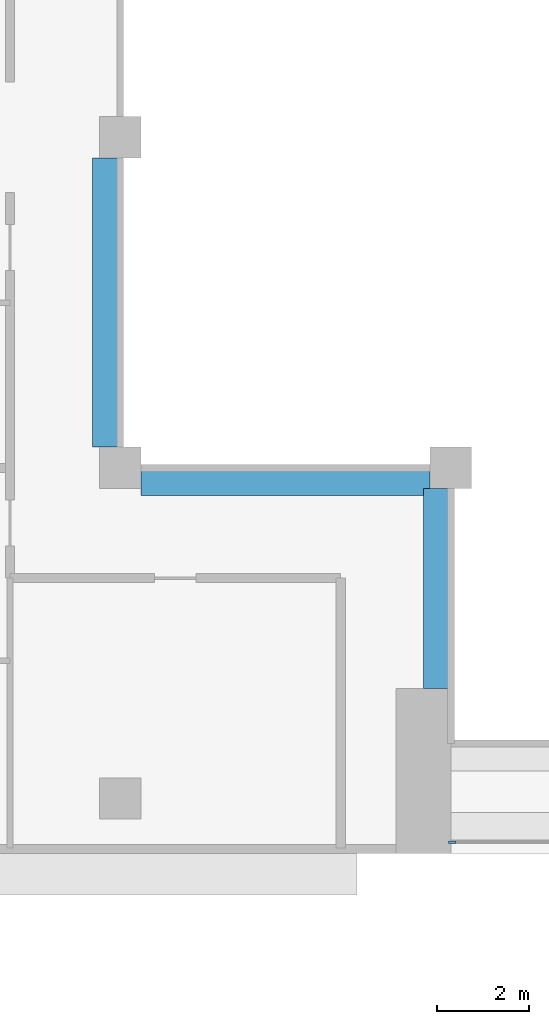
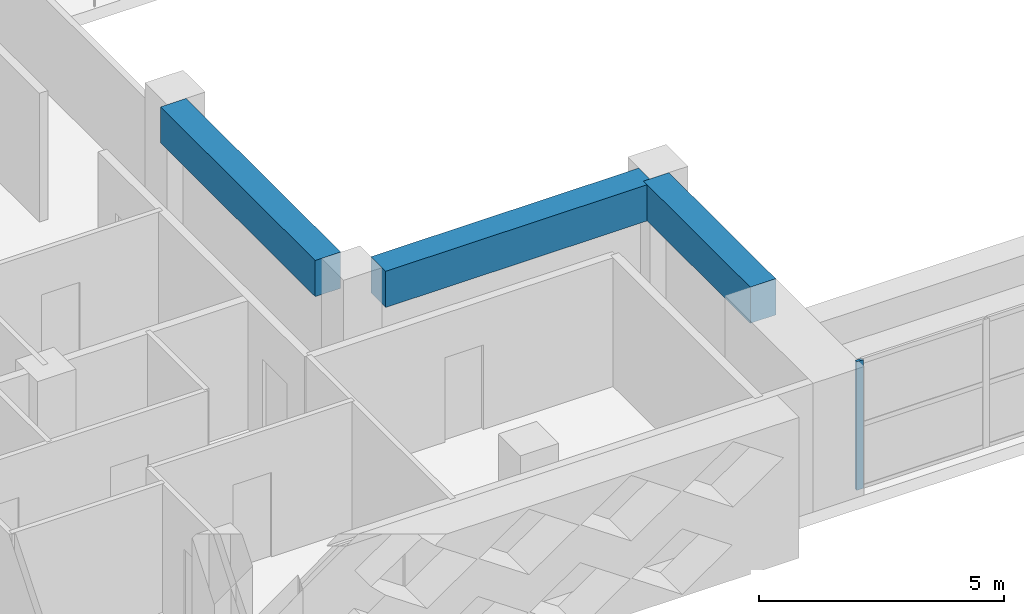
# One storey, part 2 of 20: 3 beams, 1 member, 1 element without a shape of its own.
"""IFC4 building model written with IfcOpenShell, lengths in metres."""

from ifc_helpers import new_model, si_unit, direction, frame, origin, origin_2d, place, context, subcontext, project, spatial, rectangle, extrude, source, transform, mapped, material, layer, layer_set, material_profile, profile_set, type_object, element, aggregate, save


model = new_model("IFC4")

# Units and contexts
model_context = context("Model", 3, precision=1e-05, world=origin(), true_north=direction((0.0, 1.0)))
body_context = subcontext(model_context, "Body", "Model", "MODEL_VIEW")
ifc_project = project(units=[si_unit("LENGTHUNIT", "METRE"), si_unit("AREAUNIT", "SQUARE_METRE"), si_unit("VOLUMEUNIT", "CUBIC_METRE"), si_unit("PLANEANGLEUNIT", "RADIAN"), si_unit("MASSUNIT", "GRAM", prefix="KILO")], contexts=[model_context])

# Site, building, storey
site_placement = place(None, origin())
site = spatial("IfcSite", under=ifc_project, at=site_placement, CompositionType="ELEMENT")
building_placement = place(site_placement, origin())
building = spatial("IfcBuilding", under=site, at=building_placement, Name="Saffron Iwan Residences", CompositionType="ELEMENT")
storey_placement = place(building_placement, frame((0.0, 0.0, 188.5)))
storey = spatial("IfcBuildingStorey", under=building, at=storey_placement, Name="L50", CompositionType="ELEMENT", Elevation=188.5)

# Beams
ifc_material_1 = material(Name="Concrete C50/60", Category="concrete")
ifc_material_profile_1 = material_profile(ifc_material_1, rectangle(XDim=0.60009765625, YDim=0.89990234375, at=origin_2d()), Name="RC 600x900")
ifc_profile_set_1 = profile_set([ifc_material_profile_1], Name="Concrete C50/60")
beam_type = type_object("IfcBeamType", Name="BEAM RC 600x900 C50/60 TOP 3200", PredefinedType="BEAM", material=ifc_profile_set_1)
shared_shape_1 = source(origin(), body_context, "Body", "SweptSolid", [
    extrude(rectangle(XDim=0.60009765625, YDim=0.89990234375, at=origin_2d()), origin(), (0.0, 0.0, 1.0), 4.35009765625),
])
beam_placement = place(storey_placement, frame((42.89990234375, 43.199951171875, 2.75), z_axis=(0.0, 1.0, 0.0), x_axis=(-1.0, 0.0, 0.0)))
element("IfcBeam", 1, at=beam_placement, inside=storey, type_object=beam_type, Name="Atrium edge beam", PredefinedType="BEAM", context=body_context, shape_type="MappedRepresentation", body=[
    mapped(shared_shape_1, transform((0.0, 0.0, 0.0))),
])
shared_shape_2 = source(origin(), body_context, "Body", "SweptSolid", [
    extrude(rectangle(XDim=0.60009765625, YDim=0.89990234375, at=origin_2d()), origin(), (0.0, 0.0, 1.0), 6.300048828125),
])
for number, where, z_axis, x_axis, name in (
    (2, (42.75, 47.699951171875, 2.75), (-1.0, 0.0, 0.0), (0.0, -1.0, 0.0), "Atrium edge beam"),
    (3, (35.699951171875, 48.449951171875, 2.75), (0.0, 1.0, 0.0), (-1.0, 0.0, 0.0), "Atrium edge beam"),
):
    element("IfcBeam", number, at=place(storey_placement, frame(where, z_axis=z_axis, x_axis=x_axis)), inside=storey, type_object=beam_type, Name=name, PredefinedType="BEAM", context=body_context, shape_type="MappedRepresentation", body=[
        mapped(shared_shape_2, transform((0.0, 0.0, 0.0))),
    ])

# Curtain wall, member
ifc_material_2 = material(Name="Clear glass, laminated double glazed", Category="glass")
ifc_layer = layer(ifc_material_2, 0.199951171875)
ifc_layer_set = layer_set([ifc_layer], Name="Clear glass, laminated double glazed")
curtain_wall_type = type_object("IfcCurtainWallType", Name="CW-B IWAN PORTAL", PredefinedType="NOTDEFINED", material=ifc_layer_set)
curtain_wall_placement = place(storey_placement, origin())
curtain_wall = element("IfcCurtainWall", 4, at=curtain_wall_placement, inside=storey, type_object=curtain_wall_type, Name="Iwan portal glazing L50.1", PredefinedType="NOTDEFINED")
ifc_material_3 = material(Name="Aluminium 6063-T6", Category="aluminium")
ifc_material_profile_2 = material_profile(ifc_material_3, rectangle(XDim=0.06005859375, YDim=0.159912109375, at=origin_2d()), Name="CW-B MULLION 60 x 160")
ifc_profile_set_2 = profile_set([ifc_material_profile_2], Name="Aluminium 6063-T6")
member_type = type_object("IfcMemberType", Name="CW-B MULLION 60 x 160", PredefinedType="MULLION", material=ifc_profile_set_2)
shared_shape_3 = source(origin(), body_context, "Body", "SweptSolid", [
    extrude(rectangle(XDim=0.06005859375, YDim=0.159912109375, at=origin_2d()), origin(), (0.0, 0.0, 1.0), 3.199951171875),
])
member_placement = place(storey_placement, frame((43.22998046875, 39.85009765625, 0.0), z_axis=(0.0, 0.0, 1.0), x_axis=(0.0, 1.0, 0.0)))
member = element("IfcMember", 5, at=member_placement, type_object=member_type, Name="CW-B mullion 1", PredefinedType="MULLION", context=body_context, shape_type="MappedRepresentation", body=[
    mapped(shared_shape_3, transform((0.0, 0.0, 0.0))),
])
aggregate(curtain_wall, [member])

save(model, "model.ifc")
